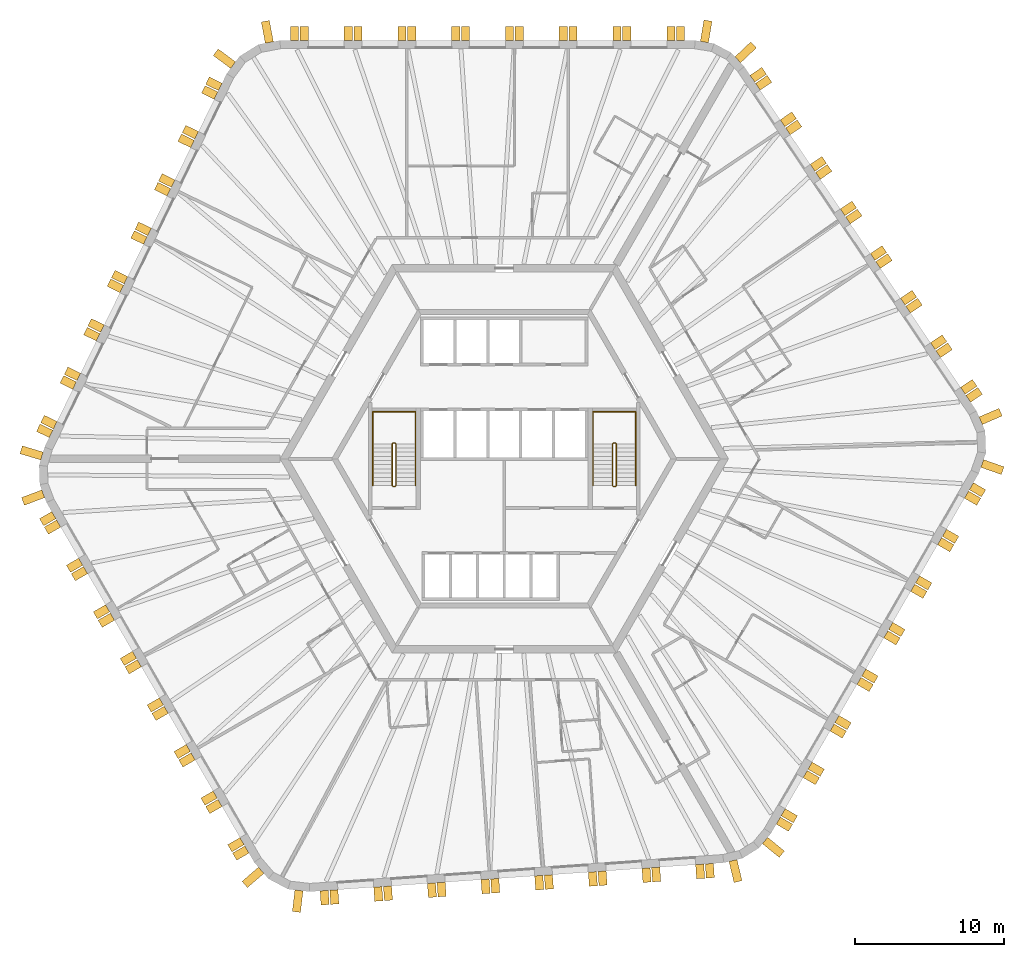
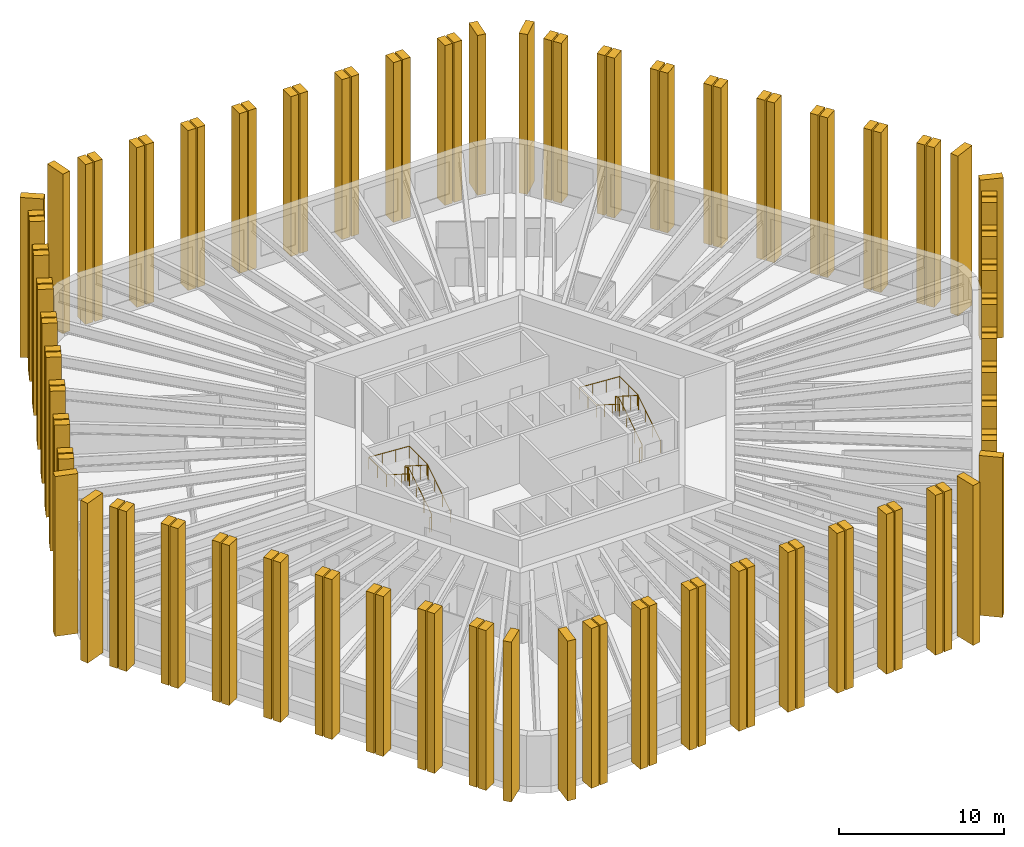
# One storey, part 10 of 10: 108 shading devices, 4 railings.
"""IFC4 building model written with IfcOpenShell, lengths in metres."""

from ifc_helpers import new_model, si_unit, direction, frame, origin, origin_2d, place, context, subcontext, project, spatial, polyline, circle, outline, extrude, material, layer, layer_set, type_object, element, save


model = new_model("IFC4")

# Units and contexts
model_context = context("Model", 3, precision=1e-05, world=origin(), true_north=direction((0.0, 1.0)))
body_context = subcontext(model_context, "Body", "Model", "MODEL_VIEW")
ifc_project = project(units=[si_unit("LENGTHUNIT", "METRE"), si_unit("AREAUNIT", "SQUARE_METRE"), si_unit("VOLUMEUNIT", "CUBIC_METRE"), si_unit("PLANEANGLEUNIT", "RADIAN"), si_unit("MASSUNIT", "GRAM", prefix="KILO")], contexts=[model_context])

# Site, building, storey
site_placement = place(None, origin())
site = spatial("IfcSite", under=ifc_project, at=site_placement, CompositionType="ELEMENT")
building_placement = place(site_placement, origin())
building = spatial("IfcBuilding", under=site, at=building_placement, Name="Tarnside Tower", CompositionType="ELEMENT")
storey_placement = place(building_placement, frame((0.0, 0.0, 152.699951171875)))
storey = spatial("IfcBuildingStorey", under=building, at=storey_placement, Name="L35", CompositionType="ELEMENT", Elevation=152.699951171875)

# Shading devices
ifc_material_1 = material(Name="Concrete C50/60 white precast", Category="concrete")
ifc_layer_1 = layer(ifc_material_1, 0.550048828125)
ifc_layer_set_1 = layer_set([ifc_layer_1], Name="Precast fin 550 x 1450")
shading_device_type_1 = type_object("IfcShadingDeviceType", Name="Precast fin 550 x 1450", PredefinedType="USERDEFINED", material=ifc_layer_set_1)
for number, where, z_axis, x_axis, name in (
    (1, (-15.725341796875, 27.86767578125, -0.300048828125), (0.982720646705, 0.18509492305, 0.0), (-0.18509492305, 0.982720646705, 0.0), "Precast fin"),
    (2, (-18.15380859375, 26.35009765625, -0.300048828125), (0.597158591707, 0.802123192752, 0.0), (-0.802123192752, 0.597158591707, 0.0), "Precast fin"),
    (3, (-30.949951171875, 0.184326171875, -0.300048828125), (0.286803232717, 0.957989512314, 0.0), (-0.957989512314, 0.286803232717, 0.0), "Precast fin"),
    (4, (-30.861572265625, -2.343017578125, -0.300048828125), (-0.352930564719, 0.935649515837, 0.0), (-0.935649515837, -0.352930564719, 0.0), "Precast fin"),
    (5, (-16.271484375, -27.55224609375, -0.300048828125), (-0.651657228826, 0.758513583345, 0.0), (-0.758513583345, -0.651657228826, 0.0), "Precast fin"),
    (6, (-13.7431640625, -28.896728515625, -0.300048828125), (-0.993238357741, 0.116092914131, 0.0), (-0.116092914131, -0.993238357741, 0.0), "Precast fin"),
    (7, (15.315185546875, -26.8955078125, -0.300048828125), (-0.973044870581, -0.230615870737, 0.0), (0.230615870737, -0.973044870581, 0.0), "Precast fin"),
    (8, (17.4599609375, -25.555419921875, -0.300048828125), (-0.633830967394, -0.773471592738, 0.0), (0.773471592738, -0.633830967394, 0.0), "Precast fin"),
    (9, (31.996826171875, -0.315185546875, -0.300048828125), (-0.331063417879, -0.943608506396, 0.0), (0.943608506396, -0.331063417879, 0.0), "Precast fin"),
    (10, (31.896728515625, 2.54638671875, -0.300048828125), (0.396079766034, -0.918216106883, 0.0), (0.918216106883, 0.396079766034, 0.0), "Precast fin"),
    (11, (15.634765625, 26.711181640625, -0.300048828125), (0.686241637865, -0.727373641577, 0.0), (0.727373641577, 0.686241637865, 0.0), "Precast fin"),
    (12, (13.40185546875, 27.8984375, -0.300048828125), (0.986761532114, -0.1621779231, 0.0), (0.1621779231, 0.986761532114, 0.0), "Precast fin"),
):
    element("IfcShadingDevice", number, at=place(storey_placement, frame(where, z_axis=z_axis, x_axis=x_axis)), inside=storey, type_object=shading_device_type_1, Name=name, ObjectType="FIN", PredefinedType="USERDEFINED", context=body_context, shape_type="SweptSolid", body=[
        extrude(outline(polyline([(0.0, 0.0), (1.449951171875, 0.0), (1.449951171875, 11.85009765625), (0.0, 11.85009765625), (0.0, 0.0)])), frame((0.0, 0.0, -0.27490234375)), (0.0, 0.0, 1.0), 0.550048828125),
    ])
ifc_layer_2 = layer(ifc_material_1, 0.550048828125)
ifc_layer_set_2 = layer_set([ifc_layer_2], Name="Precast fin 550 x 950")
shading_device_type_2 = type_object("IfcShadingDeviceType", Name="Precast fin 550 x 950", PredefinedType="USERDEFINED", material=ifc_layer_set_2)
for number, where, z_axis, x_axis, name in (
    (13, (11.80712890625, 28.0, -0.300048828125), (1.0, 0.0, 0.0), (0.0, 1.0, 0.0), "Precast fin"),
    (14, (11.1572265625, 28.0, -0.300048828125), (1.0, 0.0, 0.0), (0.0, 1.0, 0.0), "Precast fin"),
    (15, (8.20703125, 28.0, -0.300048828125), (1.0, 0.0, 0.0), (0.0, 1.0, 0.0), "Precast fin"),
    (16, (7.55712890625, 28.0, -0.300048828125), (1.0, 0.0, 0.0), (0.0, 1.0, 0.0), "Precast fin"),
    (17, (4.607177734375, 28.0, -0.300048828125), (1.0, 0.0, 0.0), (0.0, 1.0, 0.0), "Precast fin"),
    (18, (3.95703125, 28.0, -0.300048828125), (1.0, 0.0, 0.0), (0.0, 1.0, 0.0), "Precast fin"),
    (19, (1.007080078125, 28.0, -0.300048828125), (1.0, 0.0, 0.0), (0.0, 1.0, 0.0), "Precast fin"),
    (20, (0.357177734375, 28.0, -0.300048828125), (1.0, 0.0, 0.0), (0.0, 1.0, 0.0), "Precast fin"),
    (21, (-2.5927734375, 28.0, -0.300048828125), (1.0, 0.0, 0.0), (0.0, 1.0, 0.0), "Precast fin"),
    (22, (-3.242919921875, 28.0, -0.300048828125), (1.0, 0.0, 0.0), (0.0, 1.0, 0.0), "Precast fin"),
    (23, (-6.19287109375, 28.0, -0.300048828125), (1.0, 0.0, 0.0), (0.0, 1.0, 0.0), "Precast fin"),
    (24, (-6.8427734375, 28.0, -0.300048828125), (1.0, 0.0, 0.0), (0.0, 1.0, 0.0), "Precast fin"),
    (25, (-9.79296875, 28.0, -0.300048828125), (1.0, 0.0, 0.0), (0.0, 1.0, 0.0), "Precast fin"),
    (26, (-10.44287109375, 28.0, -0.300048828125), (1.0, 0.0, 0.0), (0.0, 1.0, 0.0), "Precast fin"),
    (27, (-13.392822265625, 28.0, -0.300048828125), (1.0, 0.0, 0.0), (0.0, 1.0, 0.0), "Precast fin"),
    (28, (-14.04296875, 28.0, -0.300048828125), (1.0, 0.0, 0.0), (0.0, 1.0, 0.0), "Precast fin"),
    (29, (-19.01025390625, 24.896240234375, -0.300048828125), (0.438371146789, 0.898794046299, 0.0), (-0.898794046299, 0.438371146789, 0.0), "Precast fin"),
    (30, (-19.295166015625, 24.31201171875, -0.300048828125), (0.438371146789, 0.898794046299, 0.0), (-0.898794046299, 0.438371146789, 0.0), "Precast fin"),
    (31, (-20.58837890625, 21.660400390625, -0.300048828125), (0.438371146789, 0.898794046299, 0.0), (-0.898794046299, 0.438371146789, 0.0), "Precast fin"),
    (32, (-20.873291015625, 21.076171875, -0.300048828125), (0.438371146789, 0.898794046299, 0.0), (-0.898794046299, 0.438371146789, 0.0), "Precast fin"),
    (33, (-22.16650390625, 18.4248046875, -0.300048828125), (0.438371146789, 0.898794046299, 0.0), (-0.898794046299, 0.438371146789, 0.0), "Precast fin"),
    (34, (-22.451416015625, 17.840576171875, -0.300048828125), (0.438371146789, 0.898794046299, 0.0), (-0.898794046299, 0.438371146789, 0.0), "Precast fin"),
    (35, (-23.74462890625, 15.189208984375, -0.300048828125), (0.438371146789, 0.898794046299, 0.0), (-0.898794046299, 0.438371146789, 0.0), "Precast fin"),
    (36, (-24.029541015625, 14.60498046875, -0.300048828125), (0.438371146789, 0.898794046299, 0.0), (-0.898794046299, 0.438371146789, 0.0), "Precast fin"),
    (37, (-25.32275390625, 11.953369140625, -0.300048828125), (0.438371146789, 0.898794046299, 0.0), (-0.898794046299, 0.438371146789, 0.0), "Precast fin"),
    (38, (-25.607666015625, 11.369384765625, -0.300048828125), (0.438371146789, 0.898794046299, 0.0), (-0.898794046299, 0.438371146789, 0.0), "Precast fin"),
    (39, (-26.90087890625, 8.7177734375, -0.300048828125), (0.438371146789, 0.898794046299, 0.0), (-0.898794046299, 0.438371146789, 0.0), "Precast fin"),
    (40, (-27.185791015625, 8.133544921875, -0.300048828125), (0.438371146789, 0.898794046299, 0.0), (-0.898794046299, 0.438371146789, 0.0), "Precast fin"),
    (41, (-28.47900390625, 5.482177734375, -0.300048828125), (0.438371146789, 0.898794046299, 0.0), (-0.898794046299, 0.438371146789, 0.0), "Precast fin"),
    (42, (-28.763916015625, 4.89794921875, -0.300048828125), (0.438371146789, 0.898794046299, 0.0), (-0.898794046299, 0.438371146789, 0.0), "Precast fin"),
    (43, (-30.05712890625, 2.24658203125, -0.300048828125), (0.438371146789, 0.898794046299, 0.0), (-0.898794046299, 0.438371146789, 0.0), "Precast fin"),
    (44, (-30.342041015625, 1.662353515625, -0.300048828125), (0.438371146789, 0.898794046299, 0.0), (-0.898794046299, 0.438371146789, 0.0), "Precast fin"),
    (45, (-30.15234375, -3.774658203125, -0.300048828125), (-0.5, 0.866025403784, 0.0), (-0.866025403784, -0.5, 0.0), "Precast fin"),
    (46, (-29.827392578125, -4.337646484375, -0.300048828125), (-0.5, 0.866025403784, 0.0), (-0.866025403784, -0.5, 0.0), "Precast fin"),
    (47, (-28.352294921875, -6.892333984375, -0.300048828125), (-0.5, 0.866025403784, 0.0), (-0.866025403784, -0.5, 0.0), "Precast fin"),
    (48, (-28.02734375, -7.455322265625, -0.300048828125), (-0.5, 0.866025403784, 0.0), (-0.866025403784, -0.5, 0.0), "Precast fin"),
    (49, (-26.55224609375, -10.010009765625, -0.300048828125), (-0.5, 0.866025403784, 0.0), (-0.866025403784, -0.5, 0.0), "Precast fin"),
    (50, (-26.227294921875, -10.572998046875, -0.300048828125), (-0.5, 0.866025403784, 0.0), (-0.866025403784, -0.5, 0.0), "Precast fin"),
    (51, (-24.752197265625, -13.127685546875, -0.300048828125), (-0.5, 0.866025403784, 0.0), (-0.866025403784, -0.5, 0.0), "Precast fin"),
    (52, (-24.42724609375, -13.690673828125, -0.300048828125), (-0.5, 0.866025403784, 0.0), (-0.866025403784, -0.5, 0.0), "Precast fin"),
    (53, (-22.952392578125, -16.24560546875, -0.300048828125), (-0.5, 0.866025403784, 0.0), (-0.866025403784, -0.5, 0.0), "Precast fin"),
    (54, (-22.627197265625, -16.808349609375, -0.300048828125), (-0.5, 0.866025403784, 0.0), (-0.866025403784, -0.5, 0.0), "Precast fin"),
    (55, (-21.15234375, -19.36328125, -0.300048828125), (-0.5, 0.866025403784, 0.0), (-0.866025403784, -0.5, 0.0), "Precast fin"),
    (56, (-20.827392578125, -19.926025390625, -0.300048828125), (-0.5, 0.866025403784, 0.0), (-0.866025403784, -0.5, 0.0), "Precast fin"),
    (57, (-19.352294921875, -22.48095703125, -0.300048828125), (-0.5, 0.866025403784, 0.0), (-0.866025403784, -0.5, 0.0), "Precast fin"),
    (58, (-19.02734375, -23.043701171875, -0.300048828125), (-0.5, 0.866025403784, 0.0), (-0.866025403784, -0.5, 0.0), "Precast fin"),
    (59, (-17.55224609375, -25.5986328125, -0.300048828125), (-0.5, 0.866025403784, 0.0), (-0.866025403784, -0.5, 0.0), "Precast fin"),
    (60, (-17.227294921875, -26.161376953125, -0.300048828125), (-0.5, 0.866025403784, 0.0), (-0.866025403784, -0.5, 0.0), "Precast fin"),
    (61, (-12.0556640625, -28.911376953125, -0.300048828125), (-0.99756405026, -0.069756473744, 0.0), (0.069756473744, -0.99756405026, 0.0), "Precast fin"),
    (62, (-11.4072265625, -28.865966796875, -0.300048828125), (-0.99756405026, -0.069756473744, 0.0), (0.069756473744, -0.99756405026, 0.0), "Precast fin"),
    (63, (-8.46435546875, -28.66015625, -0.300048828125), (-0.99756405026, -0.069756473744, 0.0), (0.069756473744, -0.99756405026, 0.0), "Precast fin"),
    (64, (-7.81591796875, -28.614990234375, -0.300048828125), (-0.99756405026, -0.069756473744, 0.0), (0.069756473744, -0.99756405026, 0.0), "Precast fin"),
    (65, (-4.873046875, -28.4091796875, -0.300048828125), (-0.99756405026, -0.069756473744, 0.0), (0.069756473744, -0.99756405026, 0.0), "Precast fin"),
    (66, (-4.224609375, -28.36376953125, -0.300048828125), (-0.99756405026, -0.069756473744, 0.0), (0.069756473744, -0.99756405026, 0.0), "Precast fin"),
    (67, (-1.281982421875, -28.157958984375, -0.300048828125), (-0.99756405026, -0.069756473744, 0.0), (0.069756473744, -0.99756405026, 0.0), "Precast fin"),
    (68, (-0.633544921875, -28.112548828125, -0.300048828125), (-0.99756405026, -0.069756473744, 0.0), (0.069756473744, -0.99756405026, 0.0), "Precast fin"),
    (69, (2.309326171875, -27.906982421875, -0.300048828125), (-0.99756405026, -0.069756473744, 0.0), (0.069756473744, -0.99756405026, 0.0), "Precast fin"),
    (70, (2.957763671875, -27.861572265625, -0.300048828125), (-0.99756405026, -0.069756473744, 0.0), (0.069756473744, -0.99756405026, 0.0), "Precast fin"),
    (71, (5.900634765625, -27.65576171875, -0.300048828125), (-0.99756405026, -0.069756473744, 0.0), (0.069756473744, -0.99756405026, 0.0), "Precast fin"),
    (72, (6.549072265625, -27.6103515625, -0.300048828125), (-0.99756405026, -0.069756473744, 0.0), (0.069756473744, -0.99756405026, 0.0), "Precast fin"),
    (73, (9.49169921875, -27.404541015625, -0.300048828125), (-0.99756405026, -0.069756473744, 0.0), (0.069756473744, -0.99756405026, 0.0), "Precast fin"),
    (74, (10.14013671875, -27.359375, -0.300048828125), (-0.99756405026, -0.069756473744, 0.0), (0.069756473744, -0.99756405026, 0.0), "Precast fin"),
    (75, (13.0830078125, -27.153564453125, -0.300048828125), (-0.99756405026, -0.069756473744, 0.0), (0.069756473744, -0.99756405026, 0.0), "Precast fin"),
    (76, (13.7314453125, -27.108154296875, -0.300048828125), (-0.99756405026, -0.069756473744, 0.0), (0.069756473744, -0.99756405026, 0.0), "Precast fin"),
    (77, (18.34521484375, -24.225341796875, -0.300048828125), (-0.5, -0.866025403784, 0.0), (0.866025403784, -0.5, 0.0), "Precast fin"),
    (78, (18.670166015625, -23.662353515625, -0.300048828125), (-0.5, -0.866025403784, 0.0), (0.866025403784, -0.5, 0.0), "Precast fin"),
    (79, (20.145263671875, -21.107666015625, -0.300048828125), (-0.5, -0.866025403784, 0.0), (0.866025403784, -0.5, 0.0), "Precast fin"),
    (80, (20.47021484375, -20.544677734375, -0.300048828125), (-0.5, -0.866025403784, 0.0), (0.866025403784, -0.5, 0.0), "Precast fin"),
    (81, (21.945068359375, -17.989990234375, -0.300048828125), (-0.5, -0.866025403784, 0.0), (0.866025403784, -0.5, 0.0), "Precast fin"),
    (82, (22.270263671875, -17.427001953125, -0.300048828125), (-0.5, -0.866025403784, 0.0), (0.866025403784, -0.5, 0.0), "Precast fin"),
    (83, (23.7451171875, -14.872314453125, -0.300048828125), (-0.5, -0.866025403784, 0.0), (0.866025403784, -0.5, 0.0), "Precast fin"),
    (84, (24.070068359375, -14.309326171875, -0.300048828125), (-0.5, -0.866025403784, 0.0), (0.866025403784, -0.5, 0.0), "Precast fin"),
    (85, (25.545166015625, -11.75439453125, -0.300048828125), (-0.5, -0.866025403784, 0.0), (0.866025403784, -0.5, 0.0), "Precast fin"),
    (86, (25.8701171875, -11.191650390625, -0.300048828125), (-0.5, -0.866025403784, 0.0), (0.866025403784, -0.5, 0.0), "Precast fin"),
    (87, (27.34521484375, -8.63671875, -0.300048828125), (-0.5, -0.866025403784, 0.0), (0.866025403784, -0.5, 0.0), "Precast fin"),
    (88, (27.670166015625, -8.073974609375, -0.300048828125), (-0.5, -0.866025403784, 0.0), (0.866025403784, -0.5, 0.0), "Precast fin"),
    (89, (29.145263671875, -5.51904296875, -0.300048828125), (-0.5, -0.866025403784, 0.0), (0.866025403784, -0.5, 0.0), "Precast fin"),
    (90, (29.47021484375, -4.956298828125, -0.300048828125), (-0.5, -0.866025403784, 0.0), (0.866025403784, -0.5, 0.0), "Precast fin"),
    (91, (30.945068359375, -2.4013671875, -0.300048828125), (-0.5, -0.866025403784, 0.0), (0.866025403784, -0.5, 0.0), "Precast fin"),
    (92, (31.270263671875, -1.838623046875, -0.300048828125), (-0.5, -0.866025403784, 0.0), (0.866025403784, -0.5, 0.0), "Precast fin"),
    (93, (31.065673828125, 4.01513671875, -0.300048828125), (0.559192903471, -0.829037572555, 0.0), (0.829037572555, 0.559192903471, 0.0), "Precast fin"),
    (94, (30.702392578125, 4.55419921875, -0.300048828125), (0.559192903471, -0.829037572555, 0.0), (0.829037572555, 0.559192903471, 0.0), "Precast fin"),
    (95, (29.052734375, 6.999755859375, -0.300048828125), (0.559192903471, -0.829037572555, 0.0), (0.829037572555, 0.559192903471, 0.0), "Precast fin"),
    (96, (28.689208984375, 7.53857421875, -0.300048828125), (0.559192903471, -0.829037572555, 0.0), (0.829037572555, 0.559192903471, 0.0), "Precast fin"),
    (97, (27.03955078125, 9.984375, -0.300048828125), (0.559192903471, -0.829037572555, 0.0), (0.829037572555, 0.559192903471, 0.0), "Precast fin"),
    (98, (26.676025390625, 10.523193359375, -0.300048828125), (0.559192903471, -0.829037572555, 0.0), (0.829037572555, 0.559192903471, 0.0), "Precast fin"),
    (99, (25.026611328125, 12.96875, -0.300048828125), (0.559192903471, -0.829037572555, 0.0), (0.829037572555, 0.559192903471, 0.0), "Precast fin"),
    (100, (24.6630859375, 13.5078125, -0.300048828125), (0.559192903471, -0.829037572555, 0.0), (0.829037572555, 0.559192903471, 0.0), "Precast fin"),
    (101, (23.013427734375, 15.953369140625, -0.300048828125), (0.559192903471, -0.829037572555, 0.0), (0.829037572555, 0.559192903471, 0.0), "Precast fin"),
    (102, (22.64990234375, 16.4921875, -0.300048828125), (0.559192903471, -0.829037572555, 0.0), (0.829037572555, 0.559192903471, 0.0), "Precast fin"),
    (103, (21.000244140625, 18.93798828125, -0.300048828125), (0.559192903471, -0.829037572555, 0.0), (0.829037572555, 0.559192903471, 0.0), "Precast fin"),
    (104, (20.63671875, 19.476806640625, -0.300048828125), (0.559192903471, -0.829037572555, 0.0), (0.829037572555, 0.559192903471, 0.0), "Precast fin"),
    (105, (18.9873046875, 21.92236328125, -0.300048828125), (0.559192903471, -0.829037572555, 0.0), (0.829037572555, 0.559192903471, 0.0), "Precast fin"),
    (106, (18.623779296875, 22.46142578125, -0.300048828125), (0.559192903471, -0.829037572555, 0.0), (0.829037572555, 0.559192903471, 0.0), "Precast fin"),
    (107, (16.97412109375, 24.906982421875, -0.300048828125), (0.559192903471, -0.829037572555, 0.0), (0.829037572555, 0.559192903471, 0.0), "Precast fin"),
    (108, (16.610595703125, 25.44580078125, -0.300048828125), (0.559192903471, -0.829037572555, 0.0), (0.829037572555, 0.559192903471, 0.0), "Precast fin"),
):
    element("IfcShadingDevice", number, at=place(storey_placement, frame(where, z_axis=z_axis, x_axis=x_axis)), inside=storey, type_object=shading_device_type_2, Name=name, ObjectType="FIN", PredefinedType="USERDEFINED", context=body_context, shape_type="SweptSolid", body=[
        extrude(outline(polyline([(0.0, 0.0), (0.949951171875, 0.0), (0.949951171875, 11.85009765625), (0.0, 11.85009765625), (0.0, 0.0)])), frame((0.0, 0.0, -0.27490234375)), (0.0, 0.0, 1.0), 0.550048828125),
    ])

# Railings
ifc_material_2 = material(Name="Stainless steel", Category="steel")
railing_type_1 = type_object("IfcRailingType", Name="Stair guard 1100", PredefinedType="GUARDRAIL", material=ifc_material_2)
railing_1_placement = place(storey_placement, frame((7.300048828125, -1.85009765625, 0.0)))
element("IfcRailing", 109, at=railing_1_placement, inside=storey, type_object=railing_type_1, Name="L35 ST1 stair guard 1", PredefinedType="GUARDRAIL", context=body_context, shape_type="SweptSolid", body=[
    extrude(circle(Radius=0.02392578125, at=origin_2d()), frame((0.0, 0.0, 1.076171875), z_axis=(1.0, 0.0, 0.0), x_axis=(0.0, 1.0, 0.0)), (0.0, 0.0, 1.0), 0.14990234375),
    extrude(circle(Radius=0.02392578125, at=origin_2d()), frame((0.14990234375, 0.0, 1.076171875), z_axis=(0.262233686654, 0.262233686654, 0.928691007369), x_axis=(-0.707106781187, 0.707106781187, 0.0)), (0.0, 0.0, 1.0), 0.19091796875),
    extrude(circle(Radius=0.02392578125, at=origin_2d()), frame((0.199951171875, 0.050048828125, 1.25341796875), z_axis=(0.0, 0.844908973607, 0.534910110503), x_axis=(-1.0, 0.0, 0.0)), (0.0, 0.0, 1.0), 3.31396484375),
    extrude(circle(Radius=0.02392578125, at=origin_2d()), frame((0.199951171875, 2.85009765625, 3.02587890625), z_axis=(-0.707106781187, 0.707106781187, 0.0), x_axis=(-0.707106781187, -0.707106781187, 0.0)), (0.0, 0.0, 1.0), 0.07080078125),
    extrude(circle(Radius=0.02392578125, at=origin_2d()), frame((0.14990234375, 2.900146484375, 3.02587890625), z_axis=(-1.0, 0.0, 0.0), x_axis=(0.0, -1.0, 0.0)), (0.0, 0.0, 1.0), 0.14990234375),
    extrude(circle(Radius=0.02392578125, at=origin_2d()), frame((0.0, 2.900146484375, 3.02587890625), z_axis=(-0.261922500866, -0.261922500866, 0.928866625022), x_axis=(0.707106781187, -0.707106781187, 0.0)), (0.0, 0.0, 1.0), 0.191162109375),
    extrude(circle(Radius=0.02392578125, at=origin_2d()), frame((-0.050048828125, 2.85009765625, 3.20361328125), z_axis=(0.0, -0.844908973607, 0.534910110503), x_axis=(1.0, 0.0, 0.0)), (0.0, 0.0, 1.0), 3.31396484375),
    extrude(circle(Radius=0.02099609375, at=origin_2d()), origin(), (0.0, 0.0, 1.0), 1.052001953125),
    extrude(circle(Radius=0.02099609375, at=origin_2d()), frame((0.14990234375, 0.0, 0.0)), (0.0, 0.0, 1.0), 1.052001953125),
    extrude(circle(Radius=0.02099609375, at=origin_2d()), frame((0.199951171875, 0.050048828125, 0.17724609375)), (0.0, 0.0, 1.0), 1.052001953125),
    extrude(circle(Radius=0.02099609375, at=origin_2d()), frame((0.199951171875, 0.9833984375, 0.76806640625)), (0.0, 0.0, 1.0), 1.052001953125),
    extrude(circle(Radius=0.02099609375, at=origin_2d()), frame((0.199951171875, 1.916748046875, 1.359130859375)), (0.0, 0.0, 1.0), 1.052001953125),
    extrude(circle(Radius=0.02099609375, at=origin_2d()), frame((0.199951171875, 2.85009765625, 1.949951171875)), (0.0, 0.0, 1.0), 1.052001953125),
    extrude(circle(Radius=0.02099609375, at=origin_2d()), frame((0.14990234375, 2.900146484375, 1.949951171875)), (0.0, 0.0, 1.0), 1.052001953125),
    extrude(circle(Radius=0.02099609375, at=origin_2d()), frame((0.0, 2.900146484375, 1.949951171875)), (0.0, 0.0, 1.0), 1.052001953125),
    extrude(circle(Radius=0.02099609375, at=origin_2d()), frame((-0.050048828125, 2.85009765625, 2.12744140625)), (0.0, 0.0, 1.0), 1.052001953125),
    extrude(circle(Radius=0.02099609375, at=origin_2d()), frame((-0.050048828125, 1.916748046875, 2.71826171875)), (0.0, 0.0, 1.0), 1.052001953125),
    extrude(circle(Radius=0.02099609375, at=origin_2d()), frame((-0.050048828125, 0.9833984375, 3.309326171875)), (0.0, 0.0, 1.0), 1.052001953125),
    extrude(circle(Radius=0.02099609375, at=origin_2d()), frame((-0.050048828125, 0.050048828125, 3.900146484375)), (0.0, 0.0, 1.0), 1.052001953125),
])
railing_2_placement = place(storey_placement, frame((-7.449951171875, -1.85009765625, 0.0)))
element("IfcRailing", 110, at=railing_2_placement, inside=storey, type_object=railing_type_1, Name="L35 ST2 stair guard 1", PredefinedType="GUARDRAIL", context=body_context, shape_type="SweptSolid", body=[
    extrude(circle(Radius=0.02392578125, at=origin_2d()), frame((0.0, 0.0, 1.076171875), z_axis=(1.0, 0.0, 0.0), x_axis=(0.0, 1.0, 0.0)), (0.0, 0.0, 1.0), 0.14990234375),
    extrude(circle(Radius=0.02392578125, at=origin_2d()), frame((0.14990234375, 0.0, 1.076171875), z_axis=(0.262233686654, 0.262233686654, 0.928691007369), x_axis=(-0.707106781187, 0.707106781187, 0.0)), (0.0, 0.0, 1.0), 0.19091796875),
    extrude(circle(Radius=0.02392578125, at=origin_2d()), frame((0.199951171875, 0.050048828125, 1.25341796875), z_axis=(0.0, 0.844908973607, 0.534910110503), x_axis=(-1.0, 0.0, 0.0)), (0.0, 0.0, 1.0), 3.31396484375),
    extrude(circle(Radius=0.02392578125, at=origin_2d()), frame((0.199951171875, 2.85009765625, 3.02587890625), z_axis=(-0.707106781187, 0.707106781187, 0.0), x_axis=(-0.707106781187, -0.707106781187, 0.0)), (0.0, 0.0, 1.0), 0.07080078125),
    extrude(circle(Radius=0.02392578125, at=origin_2d()), frame((0.14990234375, 2.900146484375, 3.02587890625), z_axis=(-1.0, 0.0, 0.0), x_axis=(0.0, -1.0, 0.0)), (0.0, 0.0, 1.0), 0.14990234375),
    extrude(circle(Radius=0.02392578125, at=origin_2d()), frame((0.0, 2.900146484375, 3.02587890625), z_axis=(-0.261922500866, -0.261922500866, 0.928866625022), x_axis=(0.707106781187, -0.707106781187, 0.0)), (0.0, 0.0, 1.0), 0.191162109375),
    extrude(circle(Radius=0.02392578125, at=origin_2d()), frame((-0.050048828125, 2.85009765625, 3.20361328125), z_axis=(0.0, -0.844908973607, 0.534910110503), x_axis=(1.0, 0.0, 0.0)), (0.0, 0.0, 1.0), 3.31396484375),
    extrude(circle(Radius=0.02099609375, at=origin_2d()), origin(), (0.0, 0.0, 1.0), 1.052001953125),
    extrude(circle(Radius=0.02099609375, at=origin_2d()), frame((0.14990234375, 0.0, 0.0)), (0.0, 0.0, 1.0), 1.052001953125),
    extrude(circle(Radius=0.02099609375, at=origin_2d()), frame((0.199951171875, 0.050048828125, 0.17724609375)), (0.0, 0.0, 1.0), 1.052001953125),
    extrude(circle(Radius=0.02099609375, at=origin_2d()), frame((0.199951171875, 0.9833984375, 0.76806640625)), (0.0, 0.0, 1.0), 1.052001953125),
    extrude(circle(Radius=0.02099609375, at=origin_2d()), frame((0.199951171875, 1.916748046875, 1.359130859375)), (0.0, 0.0, 1.0), 1.052001953125),
    extrude(circle(Radius=0.02099609375, at=origin_2d()), frame((0.199951171875, 2.85009765625, 1.949951171875)), (0.0, 0.0, 1.0), 1.052001953125),
    extrude(circle(Radius=0.02099609375, at=origin_2d()), frame((0.14990234375, 2.900146484375, 1.949951171875)), (0.0, 0.0, 1.0), 1.052001953125),
    extrude(circle(Radius=0.02099609375, at=origin_2d()), frame((0.0, 2.900146484375, 1.949951171875)), (0.0, 0.0, 1.0), 1.052001953125),
    extrude(circle(Radius=0.02099609375, at=origin_2d()), frame((-0.050048828125, 2.85009765625, 2.12744140625)), (0.0, 0.0, 1.0), 1.052001953125),
    extrude(circle(Radius=0.02099609375, at=origin_2d()), frame((-0.050048828125, 1.916748046875, 2.71826171875)), (0.0, 0.0, 1.0), 1.052001953125),
    extrude(circle(Radius=0.02099609375, at=origin_2d()), frame((-0.050048828125, 0.9833984375, 3.309326171875)), (0.0, 0.0, 1.0), 1.052001953125),
    extrude(circle(Radius=0.02099609375, at=origin_2d()), frame((-0.050048828125, 0.050048828125, 3.900146484375)), (0.0, 0.0, 1.0), 1.052001953125),
])
railing_type_2 = type_object("IfcRailingType", Name="Stair handrail 900", PredefinedType="HANDRAIL", material=ifc_material_2)
railing_3_placement = place(storey_placement, frame((8.800048828125, -1.800048828125, 0.17724609375)))
element("IfcRailing", 111, at=railing_3_placement, inside=storey, type_object=railing_type_2, Name="L35 ST1 stair handrail 1", PredefinedType="HANDRAIL", context=body_context, shape_type="SweptSolid", body=[
    extrude(circle(Radius=0.02392578125, at=origin_2d()), frame((0.0, 0.0, 0.8857421875), z_axis=(0.0, 0.844908973607, 0.534910110503), x_axis=(-1.0, 0.0, 0.0)), (0.0, 0.0, 1.0), 3.31396484375),
    extrude(circle(Radius=0.02392578125, at=origin_2d()), frame((0.0, 2.800048828125, 2.65869140625), z_axis=(0.0, 1.0, 0.0), x_axis=(-1.0, 0.0, 0.0)), (0.0, 0.0, 1.0), 2.14990234375),
    extrude(circle(Radius=0.02392578125, at=origin_2d()), frame((0.0, 4.949951171875, 2.65869140625), z_axis=(-0.998066525363, 0.0, 0.062154733933), x_axis=(0.0, -1.0, 0.0)), (0.0, 0.0, 1.0), 2.855712890625),
    extrude(circle(Radius=0.02392578125, at=origin_2d()), frame((-2.85009765625, 4.949951171875, 2.8359375), z_axis=(0.0, -1.0, 0.0), x_axis=(1.0, 0.0, 0.0)), (0.0, 0.0, 1.0), 2.14990234375),
    extrude(circle(Radius=0.02392578125, at=origin_2d()), frame((-2.85009765625, 2.800048828125, 2.8359375), z_axis=(0.0, -0.844908973607, 0.534910110503), x_axis=(1.0, 0.0, 0.0)), (0.0, 0.0, 1.0), 3.31396484375),
    extrude(circle(Radius=0.02099609375, at=origin_2d()), origin(), (0.0, 0.0, 1.0), 0.86181640625),
    extrude(circle(Radius=0.02099609375, at=origin_2d()), frame((0.0, 0.933349609375, 0.5908203125)), (0.0, 0.0, 1.0), 0.86181640625),
    extrude(circle(Radius=0.02099609375, at=origin_2d()), frame((0.0, 1.86669921875, 1.181884765625)), (0.0, 0.0, 1.0), 0.86181640625),
    extrude(circle(Radius=0.02099609375, at=origin_2d()), frame((0.0, 2.800048828125, 1.772705078125)), (0.0, 0.0, 1.0), 0.86181640625),
    extrude(circle(Radius=0.02099609375, at=origin_2d()), frame((0.0, 3.875, 1.772705078125)), (0.0, 0.0, 1.0), 0.86181640625),
    extrude(circle(Radius=0.02099609375, at=origin_2d()), frame((0.0, 4.949951171875, 1.772705078125)), (0.0, 0.0, 1.0), 0.86181640625),
    extrude(circle(Radius=0.02099609375, at=origin_2d()), frame((-0.949951171875, 4.949951171875, 1.831787109375)), (0.0, 0.0, 1.0), 0.86181640625),
    extrude(circle(Radius=0.02099609375, at=origin_2d()), frame((-1.900146484375, 4.949951171875, 1.89111328125)), (0.0, 0.0, 1.0), 0.86181640625),
    extrude(circle(Radius=0.02099609375, at=origin_2d()), frame((-2.85009765625, 4.949951171875, 1.9501953125)), (0.0, 0.0, 1.0), 0.86181640625),
    extrude(circle(Radius=0.02099609375, at=origin_2d()), frame((-2.85009765625, 3.875, 1.9501953125)), (0.0, 0.0, 1.0), 0.86181640625),
    extrude(circle(Radius=0.02099609375, at=origin_2d()), frame((-2.85009765625, 2.800048828125, 1.9501953125)), (0.0, 0.0, 1.0), 0.86181640625),
    extrude(circle(Radius=0.02099609375, at=origin_2d()), frame((-2.85009765625, 1.86669921875, 2.541015625)), (0.0, 0.0, 1.0), 0.86181640625),
    extrude(circle(Radius=0.02099609375, at=origin_2d()), frame((-2.85009765625, 0.933349609375, 3.132080078125)), (0.0, 0.0, 1.0), 0.86181640625),
    extrude(circle(Radius=0.02099609375, at=origin_2d()), frame((-2.85009765625, 0.0, 3.722900390625)), (0.0, 0.0, 1.0), 0.86181640625),
])
railing_4_placement = place(storey_placement, frame((-5.949951171875, -1.800048828125, 0.17724609375)))
element("IfcRailing", 112, at=railing_4_placement, inside=storey, type_object=railing_type_2, Name="L35 ST2 stair handrail 1", PredefinedType="HANDRAIL", context=body_context, shape_type="SweptSolid", body=[
    extrude(circle(Radius=0.02392578125, at=origin_2d()), frame((0.0, 0.0, 0.8857421875), z_axis=(0.0, 0.844908973607, 0.534910110503), x_axis=(-1.0, 0.0, 0.0)), (0.0, 0.0, 1.0), 3.31396484375),
    extrude(circle(Radius=0.02392578125, at=origin_2d()), frame((0.0, 2.800048828125, 2.65869140625), z_axis=(0.0, 1.0, 0.0), x_axis=(-1.0, 0.0, 0.0)), (0.0, 0.0, 1.0), 2.14990234375),
    extrude(circle(Radius=0.02392578125, at=origin_2d()), frame((0.0, 4.949951171875, 2.65869140625), z_axis=(-0.998066525363, 0.0, 0.062154733933), x_axis=(0.0, -1.0, 0.0)), (0.0, 0.0, 1.0), 2.855712890625),
    extrude(circle(Radius=0.02392578125, at=origin_2d()), frame((-2.85009765625, 4.949951171875, 2.8359375), z_axis=(0.0, -1.0, 0.0), x_axis=(1.0, 0.0, 0.0)), (0.0, 0.0, 1.0), 2.14990234375),
    extrude(circle(Radius=0.02392578125, at=origin_2d()), frame((-2.85009765625, 2.800048828125, 2.8359375), z_axis=(0.0, -0.844908973607, 0.534910110503), x_axis=(1.0, 0.0, 0.0)), (0.0, 0.0, 1.0), 3.31396484375),
    extrude(circle(Radius=0.02099609375, at=origin_2d()), origin(), (0.0, 0.0, 1.0), 0.86181640625),
    extrude(circle(Radius=0.02099609375, at=origin_2d()), frame((0.0, 0.933349609375, 0.5908203125)), (0.0, 0.0, 1.0), 0.86181640625),
    extrude(circle(Radius=0.02099609375, at=origin_2d()), frame((0.0, 1.86669921875, 1.181884765625)), (0.0, 0.0, 1.0), 0.86181640625),
    extrude(circle(Radius=0.02099609375, at=origin_2d()), frame((0.0, 2.800048828125, 1.772705078125)), (0.0, 0.0, 1.0), 0.86181640625),
    extrude(circle(Radius=0.02099609375, at=origin_2d()), frame((0.0, 3.875, 1.772705078125)), (0.0, 0.0, 1.0), 0.86181640625),
    extrude(circle(Radius=0.02099609375, at=origin_2d()), frame((0.0, 4.949951171875, 1.772705078125)), (0.0, 0.0, 1.0), 0.86181640625),
    extrude(circle(Radius=0.02099609375, at=origin_2d()), frame((-0.949951171875, 4.949951171875, 1.831787109375)), (0.0, 0.0, 1.0), 0.86181640625),
    extrude(circle(Radius=0.02099609375, at=origin_2d()), frame((-1.900146484375, 4.949951171875, 1.89111328125)), (0.0, 0.0, 1.0), 0.86181640625),
    extrude(circle(Radius=0.02099609375, at=origin_2d()), frame((-2.85009765625, 4.949951171875, 1.9501953125)), (0.0, 0.0, 1.0), 0.86181640625),
    extrude(circle(Radius=0.02099609375, at=origin_2d()), frame((-2.85009765625, 3.875, 1.9501953125)), (0.0, 0.0, 1.0), 0.86181640625),
    extrude(circle(Radius=0.02099609375, at=origin_2d()), frame((-2.85009765625, 2.800048828125, 1.9501953125)), (0.0, 0.0, 1.0), 0.86181640625),
    extrude(circle(Radius=0.02099609375, at=origin_2d()), frame((-2.85009765625, 1.86669921875, 2.541015625)), (0.0, 0.0, 1.0), 0.86181640625),
    extrude(circle(Radius=0.02099609375, at=origin_2d()), frame((-2.85009765625, 0.933349609375, 3.132080078125)), (0.0, 0.0, 1.0), 0.86181640625),
    extrude(circle(Radius=0.02099609375, at=origin_2d()), frame((-2.85009765625, 0.0, 3.722900390625)), (0.0, 0.0, 1.0), 0.86181640625),
])

save(model, "model.ifc")
